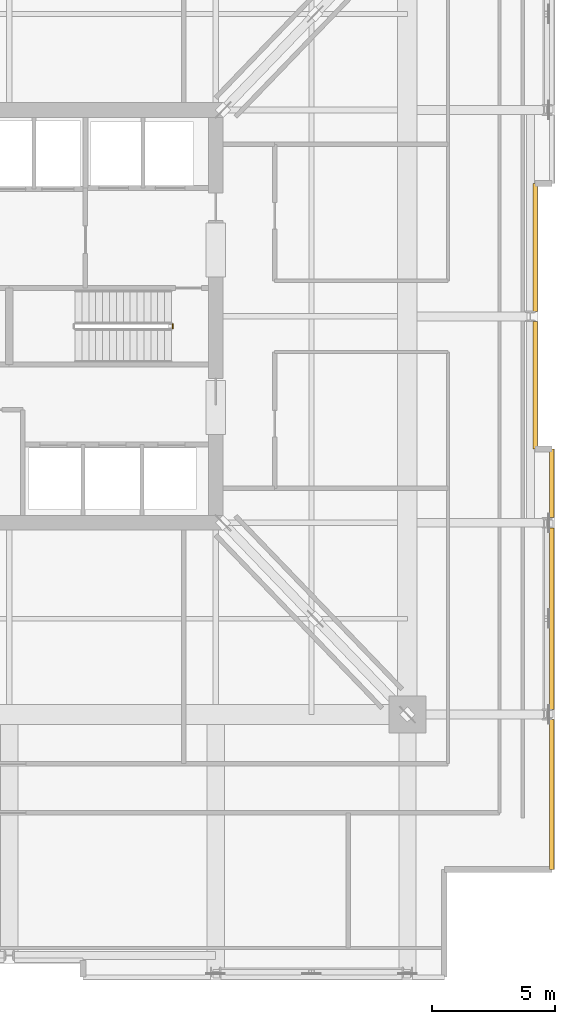
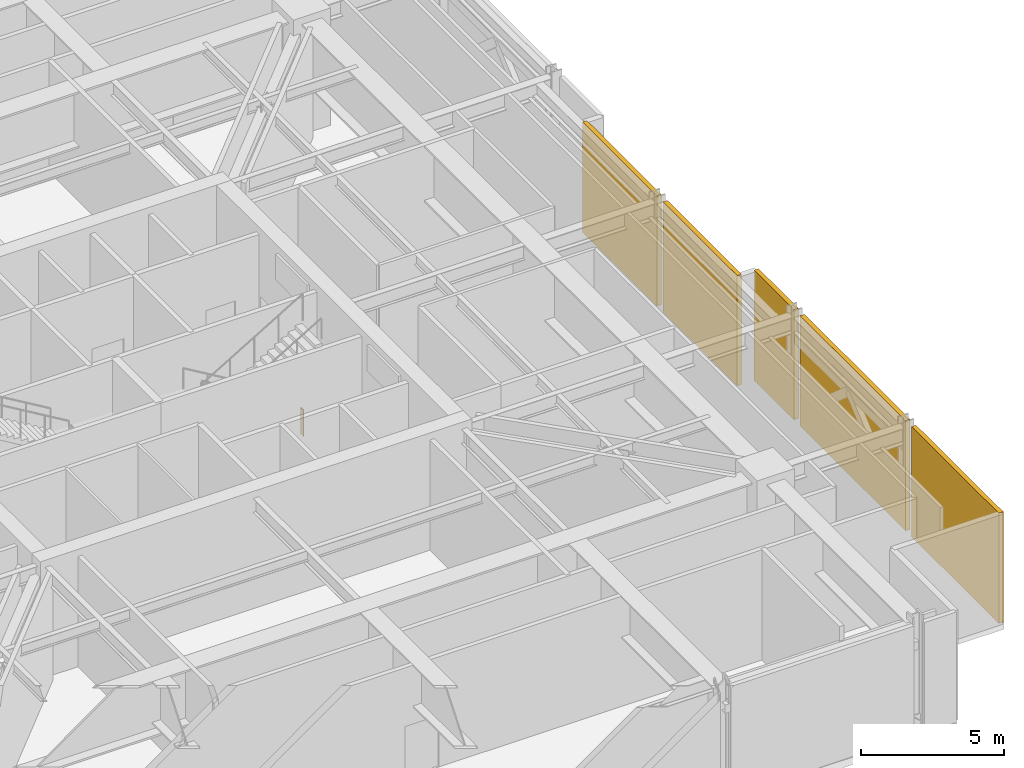
# One storey, part 12 of 13: 5 shading devices, 1 railing.
"""IFC4 building model written with IfcOpenShell, lengths in metres."""

from ifc_helpers import new_model, si_unit, direction, frame, origin, origin_2d, place, context, subcontext, project, spatial, rectangle, circle, extrude, material, layer, layer_set, type_object, element, save


model = new_model("IFC4")

# Units and contexts
model_context = context("Model", 3, precision=1e-05, world=origin(), true_north=direction((0.0, 1.0)))
body_context = subcontext(model_context, "Body", "Model", "MODEL_VIEW")
ifc_project = project(units=[si_unit("LENGTHUNIT", "METRE"), si_unit("AREAUNIT", "SQUARE_METRE"), si_unit("VOLUMEUNIT", "CUBIC_METRE"), si_unit("PLANEANGLEUNIT", "RADIAN"), si_unit("MASSUNIT", "GRAM", prefix="KILO")], contexts=[model_context])

# Site, building, storey
site_placement = place(None, origin())
site = spatial("IfcSite", under=ifc_project, at=site_placement, CompositionType="ELEMENT")
building_placement = place(site_placement, origin())
building = spatial("IfcBuilding", under=site, at=building_placement, Name="Drelvath Grand Hotel", CompositionType="ELEMENT")
storey_placement = place(building_placement, frame((0.0, 0.0, 140.800048828125)))
storey = spatial("IfcBuildingStorey", under=building, at=storey_placement, Name="L36", CompositionType="ELEMENT", Elevation=140.800048828125)

# Railing
ifc_material_1 = material(Name="Painted Steel S275", Category="steel")
railing_type = type_object("IfcRailingType", Name="Core Stair Well Guardrail 1100", PredefinedType="GUARDRAIL", material=ifc_material_1)
railing_placement = place(storey_placement, frame((6.64990234375, 26.679931640625, 0.0)))
element("IfcRailing", 1, at=railing_placement, inside=storey, type_object=railing_type, Name="L36 ST-2 stair guard 4", PredefinedType="GUARDRAIL", context=body_context, shape_type="SweptSolid", body=[
    extrude(circle(Radius=0.02392578125, at=origin_2d()), frame((0.0, 0.0, 1.1259765625), z_axis=(0.0, -1.0, 0.0), x_axis=(1.0, 0.0, 0.0)), (0.0, 0.0, 1.0), 0.159912109375),
    extrude(circle(Radius=0.02099609375, at=origin_2d()), origin(), (0.0, 0.0, 1.0), 1.101806640625),
    extrude(circle(Radius=0.02099609375, at=origin_2d()), frame((0.0, -0.159912109375, 0.0)), (0.0, 0.0, 1.0), 1.101806640625),
])

# Shading devices
ifc_material_2 = material(Name="Pale-Metal Anodised Aluminium Louvre", Category="aluminium")
ifc_layer = layer(ifc_material_2, 0.179931640625)
ifc_layer_set = layer_set([ifc_layer], Name="Pale-Metal Anodised Aluminium Louvre")
shading_device_type = type_object("IfcShadingDeviceType", Name="Mechanical Acoustic Weather Louvre Pale-Metal 180", PredefinedType="USERDEFINED", material=ifc_layer_set)
for number, where, z_axis, x_axis, name in (
    (2, (21.39990234375, 24.1953125, 0.0), (0.0, 0.0, 1.0), (0.0, 1.0, 0.0), "L36 Mechanical Plant Acoustic Louvre EM-1"),
    (3, (21.39990234375, 29.8046875, 0.0), (0.0, 0.0, 1.0), (0.0, 1.0, 0.0), "L36 Mechanical Plant Acoustic Louvre EM-2"),
):
    element("IfcShadingDevice", number, at=place(storey_placement, frame(where, z_axis=z_axis, x_axis=x_axis)), inside=storey, type_object=shading_device_type, Name=name, ObjectType="LOUVRE", PredefinedType="USERDEFINED", context=body_context, shape_type="SweptSolid", body=[
        extrude(rectangle(XDim=5.190673828125, YDim=0.179931640625, at=origin_2d()), origin(), (0.0, 0.0, 1.0), 4.699951171875),
    ])
shading_device_1_placement = place(storey_placement, frame((22.080078125, 7.54541015625, 0.0), z_axis=(0.0, 0.0, 1.0), x_axis=(0.0, 1.0, 0.0)))
element("IfcShadingDevice", 4, at=shading_device_1_placement, inside=storey, type_object=shading_device_type, Name="L36 Mechanical Plant Acoustic Louvre ES-1", ObjectType="LOUVRE", PredefinedType="USERDEFINED", context=body_context, shape_type="SweptSolid", body=[
    extrude(rectangle(XDim=6.090576171875, YDim=0.179931640625, at=origin_2d()), origin(), (0.0, 0.0, 1.0), 4.699951171875),
])
shading_device_2_placement = place(storey_placement, frame((22.080078125, 14.699951171875, 0.0), z_axis=(0.0, 0.0, 1.0), x_axis=(0.0, 1.0, 0.0)))
element("IfcShadingDevice", 5, at=shading_device_2_placement, inside=storey, type_object=shading_device_type, Name="L36 Mechanical Plant Acoustic Louvre ES-2", ObjectType="LOUVRE", PredefinedType="USERDEFINED", context=body_context, shape_type="SweptSolid", body=[
    extrude(rectangle(XDim=7.381103515625, YDim=0.179931640625, at=origin_2d()), origin(), (0.0, 0.0, 1.0), 4.699951171875),
])
shading_device_3_placement = place(storey_placement, frame((22.080078125, 20.20458984375, 0.0), z_axis=(0.0, 0.0, 1.0), x_axis=(0.0, 1.0, 0.0)))
element("IfcShadingDevice", 6, at=shading_device_3_placement, inside=storey, type_object=shading_device_type, Name="L36 Mechanical Plant Acoustic Louvre ES-3", ObjectType="LOUVRE", PredefinedType="USERDEFINED", context=body_context, shape_type="SweptSolid", body=[
    extrude(rectangle(XDim=2.79052734375, YDim=0.179931640625, at=origin_2d()), origin(), (0.0, 0.0, 1.0), 4.699951171875),
])

save(model, "model.ifc")
